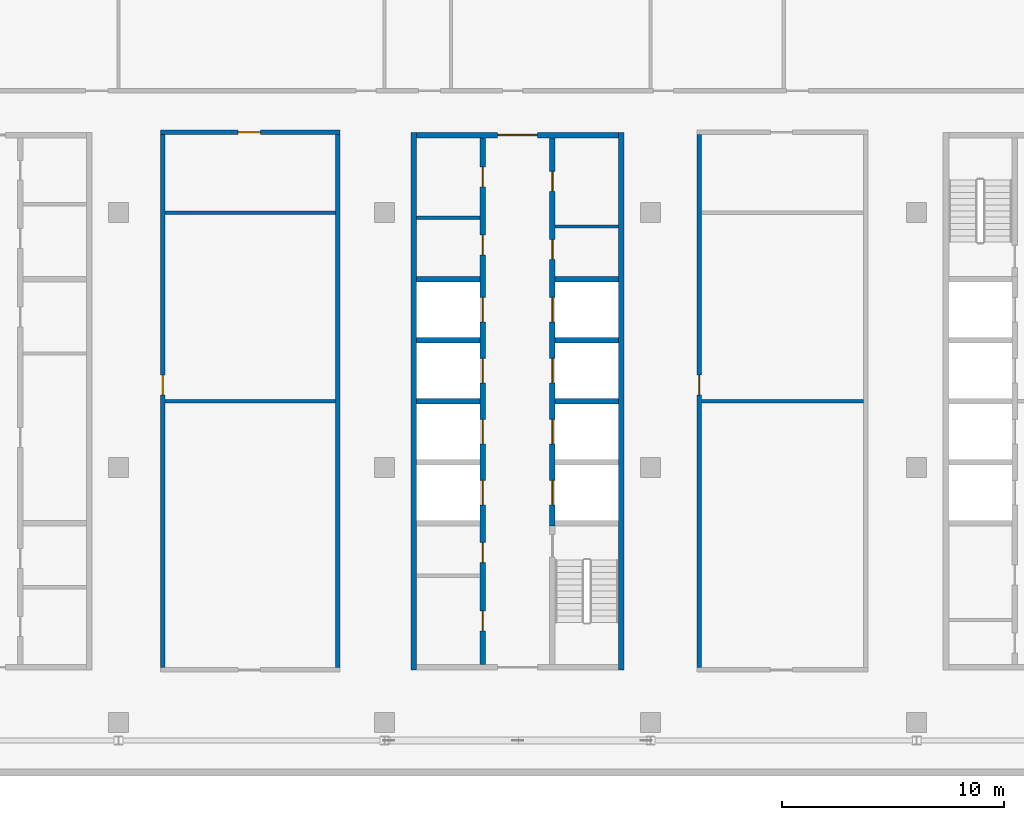
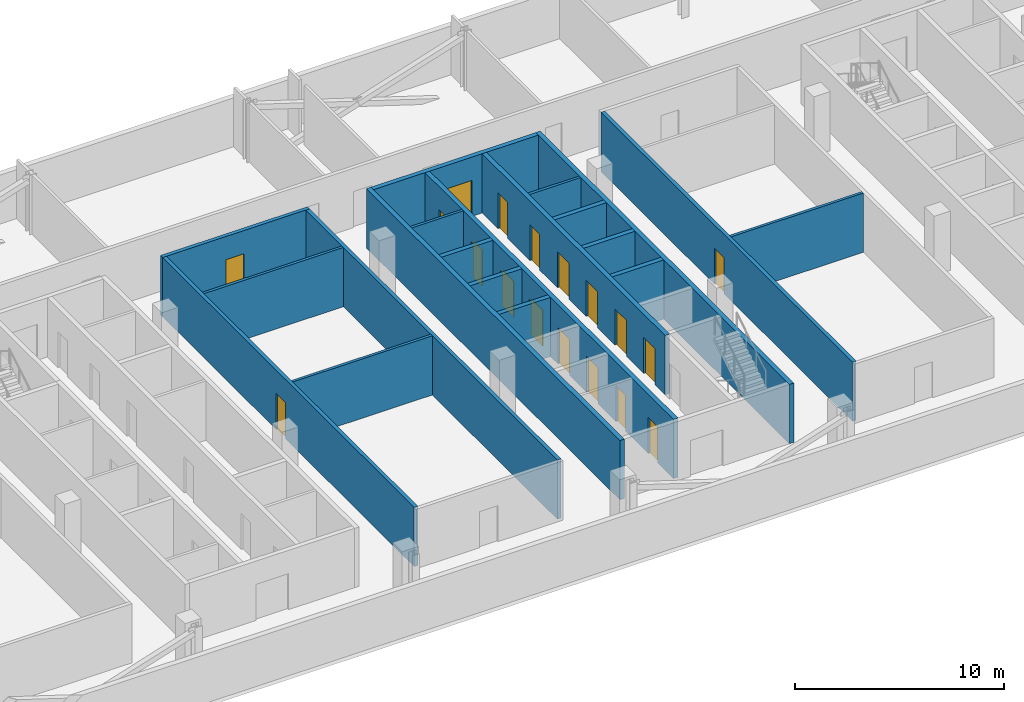
# One storey, part 15 of 28: 20 walls, 18 doors, 18 openings.
"""IFC4 building model written with IfcOpenShell, lengths in metres."""

from ifc_helpers import new_model, si_unit, direction, frame, frame_2d, origin, place, context, subcontext, project, spatial, rectangle, extrude, material, layer, layer_set, type_object, element, fill, save


model = new_model("IFC4")

# Units and contexts
model_context = context("Model", 3, precision=1e-05, world=origin(), true_north=direction((0.0, 1.0)))
body_context = subcontext(model_context, "Body", "Model", "MODEL_VIEW")
ifc_project = project(units=[si_unit("LENGTHUNIT", "METRE"), si_unit("AREAUNIT", "SQUARE_METRE"), si_unit("VOLUMEUNIT", "CUBIC_METRE"), si_unit("PLANEANGLEUNIT", "RADIAN"), si_unit("MASSUNIT", "GRAM", prefix="KILO")], contexts=[model_context])

# Site, building, storey
site_placement = place(None, origin())
site = spatial("IfcSite", under=ifc_project, at=site_placement, CompositionType="ELEMENT")
building_placement = place(site_placement, origin())
building = spatial("IfcBuilding", under=site, at=building_placement, Name="Mahtab Terrace Research Tower", CompositionType="ELEMENT")
storey_placement = place(building_placement, frame((0.0, 0.0, 267.10009765625)))
storey = spatial("IfcBuildingStorey", under=building, at=storey_placement, Name="L65", CompositionType="ELEMENT", Elevation=267.10009765625)

# Walls
ifc_material_1 = material(Name="Gypsum board partition")
ifc_layer_1 = layer(ifc_material_1, 0.14990234375)
ifc_layer_set_1 = layer_set([ifc_layer_1], Name="Core partition 150")
wall_type_1 = type_object("IfcWallType", Name="Core partition 150", PredefinedType="PARTITIONING", material=ifc_layer_set_1)
for number, where, z_axis, x_axis, name in (
    (1, (-4.550048828125, 11.27490234375, 0.0), (0.0, 0.0, 1.0), (1.0, 0.0, 0.0), "Core wall B pWN828"),
    (2, (1.699951171875, 10.875, 0.0), (0.0, 0.0, 1.0), (1.0, 0.0, 0.0), "Core wall B pEN788"),
):
    element("IfcWall", number, at=place(storey_placement, frame(where, z_axis=z_axis, x_axis=x_axis)), inside=storey, type_object=wall_type_1, Name=name, PredefinedType="PARTITIONING", context=body_context, shape_type="SweptSolid", body=[
        extrude(rectangle(XDim=2.85009765625, YDim=0.14990234375, at=frame_2d((1.425048828125, 0.0))), origin(), (0.0, 0.0, 1.0), 3.4599609375),
    ])
ifc_material_2 = material(Name="Concrete C70/85", Category="concrete")
ifc_layer_2 = layer(ifc_material_2, 0.25)
ifc_layer_set_2 = layer_set([ifc_layer_2], Name="Core wall 250")
wall_type_2 = type_object("IfcWallType", Name="Core wall 250", PredefinedType="SOLIDWALL", material=ifc_layer_set_2)
for number, where, z_axis, x_axis, name in (
    (3, (-4.675048828125, 15.125, 0.0), (0.0, 0.0, 1.0), (0.0, -1.0, 0.0), "Core wall B outerW"),
    (4, (4.675048828125, -9.125, 0.0), (0.0, 0.0, 1.0), (0.0, 1.0, 0.0), "Core wall B outerE"),
):
    element("IfcWall", number, at=place(storey_placement, frame(where, z_axis=z_axis, x_axis=x_axis)), inside=storey, type_object=wall_type_2, Name=name, PredefinedType="SOLIDWALL", context=body_context, shape_type="SweptSolid", body=[
        extrude(rectangle(XDim=24.25, YDim=0.25, at=frame_2d((12.125, 0.0))), origin(), (0.0, 0.0, 1.0), 3.4599609375),
    ])

# Wall, opening, door
wall_1_placement = place(storey_placement, frame((-4.550048828125, 15.0, 0.0), z_axis=(0.0, 0.0, 1.0), x_axis=(1.0, 0.0, 0.0)))
wall_1 = element("IfcWall", 5, at=wall_1_placement, inside=storey, type_object=wall_type_2, Name="Core wall B endN", PredefinedType="SOLIDWALL", context=body_context, shape_type="SweptSolid", body=[
    extrude(rectangle(XDim=9.10009765625, YDim=0.25, at=frame_2d((4.550048828125, 0.0))), origin(), (0.0, 0.0, 1.0), 3.4599609375),
])
opening_1_placement = place(wall_1_placement, frame((3.64990234375, 0.0, 0.0)))
opening_1 = element("IfcOpeningElement", 6, at=opening_1_placement, cuts=wall_1, Name="Opening B-N1", PredefinedType="OPENING", context=body_context, shape_type="SweptSolid", body=[
    extrude(rectangle(XDim=1.800048828125, YDim=2.10009765625, at=frame_2d((0.89990234375, 1.050048828125))), frame((0.0, 0.135009765625, 0.0), z_axis=(0.0, -1.0, 0.0), x_axis=(1.0, 0.0, 0.0)), (0.0, 0.0, 1.0), 0.27001953125),
])
ifc_material_3 = material(Name="Steel fire door", Category="steel")
door_type_1 = type_object("IfcDoorType", Name="Lobby double door 1800x2100 1 HR", OperationType="DOUBLE_DOOR_SINGLE_SWING", PredefinedType="DOOR", material=ifc_material_3)
door_1_placement = place(opening_1_placement, origin())
door_1 = element("IfcDoor", 7, at=door_1_placement, inside=storey, type_object=door_type_1, Name="Core entrance door B N", OperationType="DOUBLE_DOOR_SINGLE_SWING", OverallHeight=2.10009765625, OverallWidth=1.800048828125, PredefinedType="DOOR", context=body_context, shape_type="SweptSolid", body=[
    extrude(rectangle(XDim=1.800048828125, YDim=2.10009765625, at=frame_2d((0.89990234375, 1.050048828125))), frame((0.0, 0.02490234375, 0.0), z_axis=(0.0, -1.0, 0.0), x_axis=(1.0, 0.0, 0.0)), (0.0, 0.0, 1.0), 0.050048828125),
])
fill(opening_1, door_1)

# Wall, openings, doors
wall_2_placement = place(storey_placement, frame((-1.574951171875, -8.875, 0.0), z_axis=(0.0, 0.0, 1.0), x_axis=(0.0, 1.0, 0.0)))
wall_2 = element("IfcWall", 8, at=wall_2_placement, inside=storey, type_object=wall_type_2, Name="Core wall B innerWSLN", PredefinedType="SOLIDWALL", context=body_context, shape_type="SweptSolid", body=[
    extrude(rectangle(XDim=23.75, YDim=0.25, at=frame_2d((11.875, 0.0))), origin(), (0.0, 0.0, 1.0), 3.4599609375),
])
opening_2_placement = place(wall_2_placement, frame((7.199951171875, 0.0, 0.0)))
opening_2 = element("IfcOpeningElement", 9, at=opening_2_placement, cuts=wall_2, Name="Opening LD09-L65", PredefinedType="OPENING", context=body_context, shape_type="SweptSolid", body=[
    extrude(rectangle(XDim=1.10009765625, YDim=2.10009765625, at=frame_2d((0.550048828125, 1.050048828125))), frame((0.0, 0.135009765625, 0.0), z_axis=(0.0, -1.0, 0.0), x_axis=(1.0, 0.0, 0.0)), (0.0, 0.0, 1.0), 0.27001953125),
])
opening_3_placement = place(wall_2_placement, frame((9.949951171875, 0.0, 0.0)))
opening_3 = element("IfcOpeningElement", 10, at=opening_3_placement, cuts=wall_2, Name="Opening LD10-L65", PredefinedType="OPENING", context=body_context, shape_type="SweptSolid", body=[
    extrude(rectangle(XDim=1.10009765625, YDim=2.10009765625, at=frame_2d((0.550048828125, 1.050048828125))), frame((0.0, 0.135009765625, 0.0), z_axis=(0.0, -1.0, 0.0), x_axis=(1.0, 0.0, 0.0)), (0.0, 0.0, 1.0), 0.27001953125),
])
opening_4_placement = place(wall_2_placement, frame((12.699951171875, 0.0, 0.0)))
opening_4 = element("IfcOpeningElement", 11, at=opening_4_placement, cuts=wall_2, Name="Opening LD11-L65", PredefinedType="OPENING", context=body_context, shape_type="SweptSolid", body=[
    extrude(rectangle(XDim=1.10009765625, YDim=2.10009765625, at=frame_2d((0.550048828125, 1.050048828125))), frame((0.0, 0.135009765625, 0.0), z_axis=(0.0, -1.0, 0.0), x_axis=(1.0, 0.0, 0.0)), (0.0, 0.0, 1.0), 0.27001953125),
])
opening_5_placement = place(wall_2_placement, frame((15.449951171875, 0.0, 0.0)))
opening_5 = element("IfcOpeningElement", 12, at=opening_5_placement, cuts=wall_2, Name="Opening LD12-L65", PredefinedType="OPENING", context=body_context, shape_type="SweptSolid", body=[
    extrude(rectangle(XDim=1.10009765625, YDim=2.10009765625, at=frame_2d((0.550048828125, 1.050048828125))), frame((0.0, 0.135009765625, 0.0), z_axis=(0.0, -1.0, 0.0), x_axis=(1.0, 0.0, 0.0)), (0.0, 0.0, 1.0), 0.27001953125),
])
opening_6_placement = place(wall_2_placement, frame((1.512451171875, 0.0, 0.0)))
opening_6 = element("IfcOpeningElement", 13, at=opening_6_placement, cuts=wall_2, Name="Opening B-R1", PredefinedType="OPENING", context=body_context, shape_type="SweptSolid", body=[
    extrude(rectangle(XDim=0.89990234375, YDim=2.10009765625, at=frame_2d((0.449951171875, 1.050048828125))), frame((0.0, 0.135009765625, 0.0), z_axis=(0.0, -1.0, 0.0), x_axis=(1.0, 0.0, 0.0)), (0.0, 0.0, 1.0), 0.27001953125),
])
opening_7_placement = place(wall_2_placement, frame((4.58740234375, 0.0, 0.0)))
opening_7 = element("IfcOpeningElement", 14, at=opening_7_placement, cuts=wall_2, Name="Opening B-R2", PredefinedType="OPENING", context=body_context, shape_type="SweptSolid", body=[
    extrude(rectangle(XDim=0.89990234375, YDim=2.10009765625, at=frame_2d((0.449951171875, 1.050048828125))), frame((0.0, 0.135009765625, 0.0), z_axis=(0.0, -1.0, 0.0), x_axis=(1.0, 0.0, 0.0)), (0.0, 0.0, 1.0), 0.27001953125),
])
opening_8_placement = place(wall_2_placement, frame((18.46240234375, 0.0, 0.0)))
opening_8 = element("IfcOpeningElement", 15, at=opening_8_placement, cuts=wall_2, Name="Opening B-R3", PredefinedType="OPENING", context=body_context, shape_type="SweptSolid", body=[
    extrude(rectangle(XDim=0.89990234375, YDim=2.10009765625, at=frame_2d((0.449951171875, 1.050048828125))), frame((0.0, 0.135009765625, 0.0), z_axis=(0.0, -1.0, 0.0), x_axis=(1.0, 0.0, 0.0)), (0.0, 0.0, 1.0), 0.27001953125),
])
opening_9_placement = place(wall_2_placement, frame((21.53759765625, 0.0, 0.0)))
opening_9 = element("IfcOpeningElement", 16, at=opening_9_placement, cuts=wall_2, Name="Opening B-R4", PredefinedType="OPENING", context=body_context, shape_type="SweptSolid", body=[
    extrude(rectangle(XDim=0.89990234375, YDim=2.10009765625, at=frame_2d((0.449951171875, 1.050048828125))), frame((0.0, 0.135009765625, 0.0), z_axis=(0.0, -1.0, 0.0), x_axis=(1.0, 0.0, 0.0)), (0.0, 0.0, 1.0), 0.27001953125),
])
ifc_material_4 = material(Name="Stainless steel AISI 304", Category="steel")
door_type_2 = type_object("IfcDoorType", Name="Landing door 1100x2100", OperationType="DOUBLE_DOOR_SLIDING", PredefinedType="DOOR", material=ifc_material_4)
door_2_placement = place(opening_2_placement, origin())
door_2 = element("IfcDoor", 17, at=door_2_placement, inside=storey, type_object=door_type_2, Name="Landing door HR1 L65", OperationType="DOUBLE_DOOR_SLIDING", OverallHeight=2.10009765625, OverallWidth=1.10009765625, PredefinedType="DOOR", context=body_context, shape_type="SweptSolid", body=[
    extrude(rectangle(XDim=1.10009765625, YDim=2.10009765625, at=frame_2d((0.550048828125, 1.050048828125))), frame((0.0, 0.02490234375, 0.0), z_axis=(0.0, -1.0, 0.0), x_axis=(1.0, 0.0, 0.0)), (0.0, 0.0, 1.0), 0.050048828125),
])
fill(opening_2, door_2)
door_3_placement = place(opening_3_placement, origin())
door_3 = element("IfcDoor", 18, at=door_3_placement, inside=storey, type_object=door_type_2, Name="Landing door HR2 L65", OperationType="DOUBLE_DOOR_SLIDING", OverallHeight=2.10009765625, OverallWidth=1.10009765625, PredefinedType="DOOR", context=body_context, shape_type="SweptSolid", body=[
    extrude(rectangle(XDim=1.10009765625, YDim=2.10009765625, at=frame_2d((0.550048828125, 1.050048828125))), frame((0.0, 0.02490234375, 0.0), z_axis=(0.0, -1.0, 0.0), x_axis=(1.0, 0.0, 0.0)), (0.0, 0.0, 1.0), 0.050048828125),
])
fill(opening_3, door_3)
door_4_placement = place(opening_4_placement, origin())
door_4 = element("IfcDoor", 19, at=door_4_placement, inside=storey, type_object=door_type_2, Name="Landing door HR3 L65", OperationType="DOUBLE_DOOR_SLIDING", OverallHeight=2.10009765625, OverallWidth=1.10009765625, PredefinedType="DOOR", context=body_context, shape_type="SweptSolid", body=[
    extrude(rectangle(XDim=1.10009765625, YDim=2.10009765625, at=frame_2d((0.550048828125, 1.050048828125))), frame((0.0, 0.02490234375, 0.0), z_axis=(0.0, -1.0, 0.0), x_axis=(1.0, 0.0, 0.0)), (0.0, 0.0, 1.0), 0.050048828125),
])
fill(opening_4, door_4)
door_5_placement = place(opening_5_placement, origin())
door_5 = element("IfcDoor", 20, at=door_5_placement, inside=storey, type_object=door_type_2, Name="Landing door HR4 L65", OperationType="DOUBLE_DOOR_SLIDING", OverallHeight=2.10009765625, OverallWidth=1.10009765625, PredefinedType="DOOR", context=body_context, shape_type="SweptSolid", body=[
    extrude(rectangle(XDim=1.10009765625, YDim=2.10009765625, at=frame_2d((0.550048828125, 1.050048828125))), frame((0.0, 0.02490234375, 0.0), z_axis=(0.0, -1.0, 0.0), x_axis=(1.0, 0.0, 0.0)), (0.0, 0.0, 1.0), 0.050048828125),
])
fill(opening_5, door_5)
door_type_3 = type_object("IfcDoorType", Name="Room door 900x2100 1 HR", OperationType="NOTDEFINED", PredefinedType="DOOR", material=ifc_material_3)
door_6_placement = place(opening_6_placement, origin())
door_6 = element("IfcDoor", 21, at=door_6_placement, inside=storey, type_object=door_type_3, Name="IT equipment room door", OperationType="SINGLE_SWING_LEFT", OverallHeight=2.10009765625, OverallWidth=0.89990234375, PredefinedType="DOOR", context=body_context, shape_type="SweptSolid", body=[
    extrude(rectangle(XDim=0.89990234375, YDim=2.10009765625, at=frame_2d((0.449951171875, 1.050048828125))), frame((0.0, 0.02490234375, 0.0), z_axis=(0.0, -1.0, 0.0), x_axis=(1.0, 0.0, 0.0)), (0.0, 0.0, 1.0), 0.050048828125),
])
fill(opening_6, door_6)
door_7_placement = place(opening_7_placement, origin())
door_7 = element("IfcDoor", 22, at=door_7_placement, inside=storey, type_object=door_type_3, Name="Electrical riser room door", OperationType="SINGLE_SWING_RIGHT", OverallHeight=2.10009765625, OverallWidth=0.89990234375, PredefinedType="DOOR", context=body_context, shape_type="SweptSolid", body=[
    extrude(rectangle(XDim=0.89990234375, YDim=2.10009765625, at=frame_2d((0.449951171875, 1.050048828125))), frame((0.0, 0.02490234375, 0.0), z_axis=(0.0, -1.0, 0.0), x_axis=(1.0, 0.0, 0.0)), (0.0, 0.0, 1.0), 0.050048828125),
])
fill(opening_7, door_7)
door_8_placement = place(opening_8_placement, origin())
door_8 = element("IfcDoor", 23, at=door_8_placement, inside=storey, type_object=door_type_3, Name="Mechanical riser room door", OperationType="SINGLE_SWING_LEFT", OverallHeight=2.10009765625, OverallWidth=0.89990234375, PredefinedType="DOOR", context=body_context, shape_type="SweptSolid", body=[
    extrude(rectangle(XDim=0.89990234375, YDim=2.10009765625, at=frame_2d((0.449951171875, 1.050048828125))), frame((0.0, 0.02490234375, 0.0), z_axis=(0.0, -1.0, 0.0), x_axis=(1.0, 0.0, 0.0)), (0.0, 0.0, 1.0), 0.050048828125),
])
fill(opening_8, door_8)
door_9_placement = place(opening_9_placement, origin())
door_9 = element("IfcDoor", 24, at=door_9_placement, inside=storey, type_object=door_type_3, Name="Chemical store door", OperationType="SINGLE_SWING_RIGHT", OverallHeight=2.10009765625, OverallWidth=0.89990234375, PredefinedType="DOOR", context=body_context, shape_type="SweptSolid", body=[
    extrude(rectangle(XDim=0.89990234375, YDim=2.10009765625, at=frame_2d((0.449951171875, 1.050048828125))), frame((0.0, 0.02490234375, 0.0), z_axis=(0.0, -1.0, 0.0), x_axis=(1.0, 0.0, 0.0)), (0.0, 0.0, 1.0), 0.050048828125),
])
fill(opening_9, door_9)

wall_3_placement = place(storey_placement, frame((1.574951171875, 14.875, 0.0), z_axis=(0.0, 0.0, 1.0), x_axis=(0.0, -1.0, 0.0)))
wall_3 = element("IfcWall", 25, at=wall_3_placement, inside=storey, type_object=wall_type_2, Name="Core wall B innerELN", PredefinedType="SOLIDWALL", context=body_context, shape_type="SweptSolid", body=[
    extrude(rectangle(XDim=17.5, YDim=0.25, at=frame_2d((8.75, 0.0))), origin(), (0.0, 0.0, 1.0), 3.4599609375),
])
opening_10_placement = place(wall_3_placement, frame((15.449951171875, 0.0, 0.0)))
opening_10 = element("IfcOpeningElement", 26, at=opening_10_placement, cuts=wall_3, Name="Opening LD13-L65", PredefinedType="OPENING", context=body_context, shape_type="SweptSolid", body=[
    extrude(rectangle(XDim=1.10009765625, YDim=2.10009765625, at=frame_2d((0.550048828125, 1.050048828125))), frame((0.0, 0.135009765625, 0.0), z_axis=(0.0, -1.0, 0.0), x_axis=(1.0, 0.0, 0.0)), (0.0, 0.0, 1.0), 0.27001953125),
])
opening_11_placement = place(wall_3_placement, frame((12.699951171875, 0.0, 0.0)))
opening_11 = element("IfcOpeningElement", 27, at=opening_11_placement, cuts=wall_3, Name="Opening LD14-L65", PredefinedType="OPENING", context=body_context, shape_type="SweptSolid", body=[
    extrude(rectangle(XDim=1.10009765625, YDim=2.10009765625, at=frame_2d((0.550048828125, 1.050048828125))), frame((0.0, 0.135009765625, 0.0), z_axis=(0.0, -1.0, 0.0), x_axis=(1.0, 0.0, 0.0)), (0.0, 0.0, 1.0), 0.27001953125),
])
opening_12_placement = place(wall_3_placement, frame((9.949951171875, 0.0, 0.0)))
opening_12 = element("IfcOpeningElement", 28, at=opening_12_placement, cuts=wall_3, Name="Opening LD15-L65", PredefinedType="OPENING", context=body_context, shape_type="SweptSolid", body=[
    extrude(rectangle(XDim=1.10009765625, YDim=2.10009765625, at=frame_2d((0.550048828125, 1.050048828125))), frame((0.0, 0.135009765625, 0.0), z_axis=(0.0, -1.0, 0.0), x_axis=(1.0, 0.0, 0.0)), (0.0, 0.0, 1.0), 0.27001953125),
])
opening_13_placement = place(wall_3_placement, frame((7.199951171875, 0.0, 0.0)))
opening_13 = element("IfcOpeningElement", 29, at=opening_13_placement, cuts=wall_3, Name="Opening LD16-L65", PredefinedType="OPENING", context=body_context, shape_type="SweptSolid", body=[
    extrude(rectangle(XDim=1.10009765625, YDim=2.10009765625, at=frame_2d((0.550048828125, 1.050048828125))), frame((0.0, 0.135009765625, 0.0), z_axis=(0.0, -1.0, 0.0), x_axis=(1.0, 0.0, 0.0)), (0.0, 0.0, 1.0), 0.27001953125),
])
opening_14_placement = place(wall_3_placement, frame((4.58740234375, 0.0, 0.0)))
opening_14 = element("IfcOpeningElement", 30, at=opening_14_placement, cuts=wall_3, Name="Opening B-R5", PredefinedType="OPENING", context=body_context, shape_type="SweptSolid", body=[
    extrude(rectangle(XDim=0.89990234375, YDim=2.10009765625, at=frame_2d((0.449951171875, 1.050048828125))), frame((0.0, 0.135009765625, 0.0), z_axis=(0.0, -1.0, 0.0), x_axis=(1.0, 0.0, 0.0)), (0.0, 0.0, 1.0), 0.27001953125),
])
opening_15_placement = place(wall_3_placement, frame((1.512451171875, 0.0, 0.0)))
opening_15 = element("IfcOpeningElement", 31, at=opening_15_placement, cuts=wall_3, Name="Opening B-R6", PredefinedType="OPENING", context=body_context, shape_type="SweptSolid", body=[
    extrude(rectangle(XDim=0.89990234375, YDim=2.10009765625, at=frame_2d((0.449951171875, 1.050048828125))), frame((0.0, 0.135009765625, 0.0), z_axis=(0.0, -1.0, 0.0), x_axis=(1.0, 0.0, 0.0)), (0.0, 0.0, 1.0), 0.27001953125),
])
door_10_placement = place(opening_10_placement, origin())
door_10 = element("IfcDoor", 32, at=door_10_placement, inside=storey, type_object=door_type_2, Name="Landing door HR5 L65", OperationType="DOUBLE_DOOR_SLIDING", OverallHeight=2.10009765625, OverallWidth=1.10009765625, PredefinedType="DOOR", context=body_context, shape_type="SweptSolid", body=[
    extrude(rectangle(XDim=1.10009765625, YDim=2.10009765625, at=frame_2d((0.550048828125, 1.050048828125))), frame((0.0, 0.02490234375, 0.0), z_axis=(0.0, -1.0, 0.0), x_axis=(1.0, 0.0, 0.0)), (0.0, 0.0, 1.0), 0.050048828125),
])
fill(opening_10, door_10)
door_11_placement = place(opening_11_placement, origin())
door_11 = element("IfcDoor", 33, at=door_11_placement, inside=storey, type_object=door_type_2, Name="Landing door HR6 L65", OperationType="DOUBLE_DOOR_SLIDING", OverallHeight=2.10009765625, OverallWidth=1.10009765625, PredefinedType="DOOR", context=body_context, shape_type="SweptSolid", body=[
    extrude(rectangle(XDim=1.10009765625, YDim=2.10009765625, at=frame_2d((0.550048828125, 1.050048828125))), frame((0.0, 0.02490234375, 0.0), z_axis=(0.0, -1.0, 0.0), x_axis=(1.0, 0.0, 0.0)), (0.0, 0.0, 1.0), 0.050048828125),
])
fill(opening_11, door_11)
door_12_placement = place(opening_12_placement, origin())
door_12 = element("IfcDoor", 34, at=door_12_placement, inside=storey, type_object=door_type_2, Name="Landing door HR7 L65", OperationType="DOUBLE_DOOR_SLIDING", OverallHeight=2.10009765625, OverallWidth=1.10009765625, PredefinedType="DOOR", context=body_context, shape_type="SweptSolid", body=[
    extrude(rectangle(XDim=1.10009765625, YDim=2.10009765625, at=frame_2d((0.550048828125, 1.050048828125))), frame((0.0, 0.02490234375, 0.0), z_axis=(0.0, -1.0, 0.0), x_axis=(1.0, 0.0, 0.0)), (0.0, 0.0, 1.0), 0.050048828125),
])
fill(opening_12, door_12)
door_13_placement = place(opening_13_placement, origin())
door_13 = element("IfcDoor", 35, at=door_13_placement, inside=storey, type_object=door_type_2, Name="Landing door HR8 L65", OperationType="DOUBLE_DOOR_SLIDING", OverallHeight=2.10009765625, OverallWidth=1.10009765625, PredefinedType="DOOR", context=body_context, shape_type="SweptSolid", body=[
    extrude(rectangle(XDim=1.10009765625, YDim=2.10009765625, at=frame_2d((0.550048828125, 1.050048828125))), frame((0.0, 0.02490234375, 0.0), z_axis=(0.0, -1.0, 0.0), x_axis=(1.0, 0.0, 0.0)), (0.0, 0.0, 1.0), 0.050048828125),
])
fill(opening_13, door_13)
door_14_placement = place(opening_14_placement, origin())
door_14 = element("IfcDoor", 36, at=door_14_placement, inside=storey, type_object=door_type_3, Name="Accessible WC door", OperationType="SINGLE_SWING_LEFT", OverallHeight=2.10009765625, OverallWidth=0.89990234375, PredefinedType="DOOR", context=body_context, shape_type="SweptSolid", body=[
    extrude(rectangle(XDim=0.89990234375, YDim=2.10009765625, at=frame_2d((0.449951171875, 1.050048828125))), frame((0.0, 0.02490234375, 0.0), z_axis=(0.0, -1.0, 0.0), x_axis=(1.0, 0.0, 0.0)), (0.0, 0.0, 1.0), 0.050048828125),
])
fill(opening_14, door_14)
door_15_placement = place(opening_15_placement, origin())
door_15 = element("IfcDoor", 37, at=door_15_placement, inside=storey, type_object=door_type_3, Name="WC block door", OperationType="SINGLE_SWING_RIGHT", OverallHeight=2.10009765625, OverallWidth=0.89990234375, PredefinedType="DOOR", context=body_context, shape_type="SweptSolid", body=[
    extrude(rectangle(XDim=0.89990234375, YDim=2.10009765625, at=frame_2d((0.449951171875, 1.050048828125))), frame((0.0, 0.02490234375, 0.0), z_axis=(0.0, -1.0, 0.0), x_axis=(1.0, 0.0, 0.0)), (0.0, 0.0, 1.0), 0.050048828125),
])
fill(opening_15, door_15)

# Walls
for number, where, z_axis, x_axis, name in (
    (38, (-4.550048828125, 3.0, 0.0), (0.0, 0.0, 1.0), (1.0, 0.0, 0.0), "Core wall B divW2"),
    (39, (-4.550048828125, 5.75, 0.0), (0.0, 0.0, 1.0), (1.0, 0.0, 0.0), "Core wall B divW3"),
    (40, (-4.550048828125, 8.5, 0.0), (0.0, 0.0, 1.0), (1.0, 0.0, 0.0), "Core wall B divW4"),
    (41, (1.699951171875, 3.0, 0.0), (0.0, 0.0, 1.0), (1.0, 0.0, 0.0), "Core wall B divE2"),
    (42, (1.699951171875, 5.75, 0.0), (0.0, 0.0, 1.0), (1.0, 0.0, 0.0), "Core wall B divE3"),
    (43, (1.699951171875, 8.5, 0.0), (0.0, 0.0, 1.0), (1.0, 0.0, 0.0), "Core wall B divE4"),
):
    element("IfcWall", number, at=place(storey_placement, frame(where, z_axis=z_axis, x_axis=x_axis)), inside=storey, type_object=wall_type_2, Name=name, PredefinedType="SOLIDWALL", context=body_context, shape_type="SweptSolid", body=[
        extrude(rectangle(XDim=2.85009765625, YDim=0.25, at=frame_2d((1.425048828125, 0.0))), origin(), (0.0, 0.0, 1.0), 3.4599609375),
    ])

# Wall, opening, door
ifc_material_5 = material(Name="Gypsum board corridor wall on steel studs", Category="steel")
ifc_layer_3 = layer(ifc_material_5, 0.199951171875)
ifc_layer_set_3 = layer_set([ifc_layer_3], Name="WALL CORRIDOR 200")
wall_type_3 = type_object("IfcWallType", Name="WALL CORRIDOR 200", PredefinedType="PARTITIONING", material=ifc_layer_set_3)
wall_4_placement = place(storey_placement, frame((-16.10009765625, 15.125, 0.0), z_axis=(0.0, 0.0, 1.0), x_axis=(1.0, 0.0, 0.0)))
wall_4 = element("IfcWall", 44, at=wall_4_placement, inside=storey, type_object=wall_type_3, Name="L65-W016", PredefinedType="PARTITIONING", context=body_context, shape_type="SweptSolid", body=[
    extrude(rectangle(XDim=8.10009765625, YDim=0.199951171875, at=frame_2d((4.050048828125, 0.0))), origin(), (0.0, 0.0, 1.0), 3.4599609375),
])
opening_16_placement = place(wall_4_placement, frame((3.5, 0.0, 0.0)))
opening_16 = element("IfcOpeningElement", 45, at=opening_16_placement, cuts=wall_4, Name="Opening L65-110", PredefinedType="OPENING", context=body_context, shape_type="SweptSolid", body=[
    extrude(rectangle(XDim=1.0, YDim=2.10009765625, at=frame_2d((0.5, 1.050048828125))), frame((0.0, 0.10986328125, 0.0), z_axis=(0.0, -1.0, 0.0), x_axis=(1.0, 0.0, 0.0)), (0.0, 0.0, 1.0), 0.219970703125),
])
ifc_material_6 = material(Name="Timber door leaf in steel frame", Category="steel")
door_type_4 = type_object("IfcDoorType", Name="DOOR 1000X2100 FD30S", OperationType="SINGLE_SWING_LEFT", PredefinedType="DOOR", material=ifc_material_6)
door_16_placement = place(opening_16_placement, origin())
door_16 = element("IfcDoor", 46, at=door_16_placement, inside=storey, type_object=door_type_4, Name="Door L65-110", OperationType="SINGLE_SWING_RIGHT", OverallHeight=2.10009765625, OverallWidth=1.0, PredefinedType="DOOR", context=body_context, shape_type="SweptSolid", body=[
    extrude(rectangle(XDim=1.0, YDim=2.10009765625, at=frame_2d((0.5, 1.050048828125))), frame((0.0, 0.02490234375, 0.0), z_axis=(0.0, -1.0, 0.0), x_axis=(1.0, 0.0, 0.0)), (0.0, 0.0, 1.0), 0.050048828125),
])
fill(opening_16, door_16)

wall_5_placement = place(storey_placement, frame((-16.0, -9.02490234375, 0.0), z_axis=(0.0, 0.0, 1.0), x_axis=(0.0, 1.0, 0.0)))
wall_5 = element("IfcWall", 47, at=wall_5_placement, inside=storey, type_object=wall_type_3, Name="L65-W026", PredefinedType="PARTITIONING", context=body_context, shape_type="SweptSolid", body=[
    extrude(rectangle(XDim=24.0498046875, YDim=0.199951171875, at=frame_2d((12.02490234375, 0.0))), origin(), (0.0, 0.0, 1.0), 3.4599609375),
])
opening_17_placement = place(wall_5_placement, frame((12.300048828125, 0.0, 0.0)))
opening_17 = element("IfcOpeningElement", 48, at=opening_17_placement, cuts=wall_5, Name="Opening L65-106", PredefinedType="OPENING", context=body_context, shape_type="SweptSolid", body=[
    extrude(rectangle(XDim=0.89990234375, YDim=2.10009765625, at=frame_2d((0.449951171875, 1.050048828125))), frame((0.0, 0.10986328125, 0.0), z_axis=(0.0, -1.0, 0.0), x_axis=(1.0, 0.0, 0.0)), (0.0, 0.0, 1.0), 0.219970703125),
])
door_type_5 = type_object("IfcDoorType", Name="DOOR 0900X2100 FD30S", OperationType="SINGLE_SWING_LEFT", PredefinedType="DOOR", material=ifc_material_6)
door_17_placement = place(opening_17_placement, origin())
door_17 = element("IfcDoor", 49, at=door_17_placement, inside=storey, type_object=door_type_5, Name="Door L65-106", OperationType="SINGLE_SWING_LEFT", OverallHeight=2.10009765625, OverallWidth=0.89990234375, PredefinedType="DOOR", context=body_context, shape_type="SweptSolid", body=[
    extrude(rectangle(XDim=0.89990234375, YDim=2.10009765625, at=frame_2d((0.449951171875, 1.050048828125))), frame((0.0, 0.02490234375, 0.0), z_axis=(0.0, -1.0, 0.0), x_axis=(1.0, 0.0, 0.0)), (0.0, 0.0, 1.0), 0.050048828125),
])
fill(opening_17, door_17)

# Wall
wall_6_placement = place(storey_placement, frame((-8.10009765625, -9.02490234375, 0.0), z_axis=(0.0, 0.0, 1.0), x_axis=(0.0, 1.0, 0.0)))
element("IfcWall", 50, at=wall_6_placement, inside=storey, type_object=wall_type_3, Name="L65-W027", PredefinedType="PARTITIONING", context=body_context, shape_type="SweptSolid", body=[
    extrude(rectangle(XDim=24.0498046875, YDim=0.199951171875, at=frame_2d((12.02490234375, 0.0))), origin(), (0.0, 0.0, 1.0), 3.4599609375),
])

# Wall, opening, door
wall_7_placement = place(storey_placement, frame((8.199951171875, -9.02490234375, 0.0), z_axis=(0.0, 0.0, 1.0), x_axis=(0.0, 1.0, 0.0)))
wall_7 = element("IfcWall", 51, at=wall_7_placement, inside=storey, type_object=wall_type_3, Name="L65-W032", PredefinedType="PARTITIONING", context=body_context, shape_type="SweptSolid", body=[
    extrude(rectangle(XDim=24.0498046875, YDim=0.199951171875, at=frame_2d((12.02490234375, 0.0))), origin(), (0.0, 0.0, 1.0), 3.4599609375),
])
opening_18_placement = place(wall_7_placement, frame((12.300048828125, 0.0, 0.0)))
opening_18 = element("IfcOpeningElement", 52, at=opening_18_placement, cuts=wall_7, Name="Opening L65-107", PredefinedType="OPENING", context=body_context, shape_type="SweptSolid", body=[
    extrude(rectangle(XDim=0.89990234375, YDim=2.10009765625, at=frame_2d((0.449951171875, 1.050048828125))), frame((0.0, 0.10986328125, 0.0), z_axis=(0.0, -1.0, 0.0), x_axis=(1.0, 0.0, 0.0)), (0.0, 0.0, 1.0), 0.219970703125),
])
door_18_placement = place(opening_18_placement, origin())
door_18 = element("IfcDoor", 53, at=door_18_placement, inside=storey, type_object=door_type_5, Name="Door L65-107", OperationType="SINGLE_SWING_LEFT", OverallHeight=2.10009765625, OverallWidth=0.89990234375, PredefinedType="DOOR", context=body_context, shape_type="SweptSolid", body=[
    extrude(rectangle(XDim=0.89990234375, YDim=2.10009765625, at=frame_2d((0.449951171875, 1.050048828125))), frame((0.0, 0.02490234375, 0.0), z_axis=(0.0, -1.0, 0.0), x_axis=(1.0, 0.0, 0.0)), (0.0, 0.0, 1.0), 0.050048828125),
])
fill(opening_18, door_18)

# Walls
ifc_material_7 = material(Name="Gypsum board partition on steel studs", Category="steel")
ifc_layer_4 = layer(ifc_material_7, 0.14990234375)
ifc_layer_set_4 = layer_set([ifc_layer_4], Name="WALL PARTITION 150")
wall_type_4 = type_object("IfcWallType", Name="WALL PARTITION 150", PredefinedType="PARTITIONING", material=ifc_layer_set_4)
wall_8_placement = place(storey_placement, frame((-15.89990234375, 3.0, 0.0), z_axis=(0.0, 0.0, 1.0), x_axis=(1.0, 0.0, 0.0)))
element("IfcWall", 54, at=wall_8_placement, inside=storey, type_object=wall_type_4, Name="L65-W006", PredefinedType="PARTITIONING", context=body_context, shape_type="SweptSolid", body=[
    extrude(rectangle(XDim=7.699951171875, YDim=0.14990234375, at=frame_2d((3.85009765625, 0.0))), origin(), (0.0, 0.0, 1.0), 3.4599609375),
])
wall_9_placement = place(storey_placement, frame((8.300048828125, 3.0, 0.0), z_axis=(0.0, 0.0, 1.0), x_axis=(1.0, 0.0, 0.0)))
element("IfcWall", 55, at=wall_9_placement, inside=storey, type_object=wall_type_4, Name="L65-W007", PredefinedType="PARTITIONING", context=body_context, shape_type="SweptSolid", body=[
    extrude(rectangle(XDim=7.300048828125, YDim=0.14990234375, at=frame_2d((3.64990234375, 0.0))), origin(), (0.0, 0.0, 1.0), 3.4599609375),
])
wall_10_placement = place(storey_placement, frame((-15.89990234375, 11.5, 0.0), z_axis=(0.0, 0.0, 1.0), x_axis=(1.0, 0.0, 0.0)))
element("IfcWall", 56, at=wall_10_placement, inside=storey, type_object=wall_type_4, Name="L65-W011", PredefinedType="PARTITIONING", context=body_context, shape_type="SweptSolid", body=[
    extrude(rectangle(XDim=7.699951171875, YDim=0.14990234375, at=frame_2d((3.85009765625, 0.0))), origin(), (0.0, 0.0, 1.0), 3.4599609375),
])

save(model, "model.ifc")
